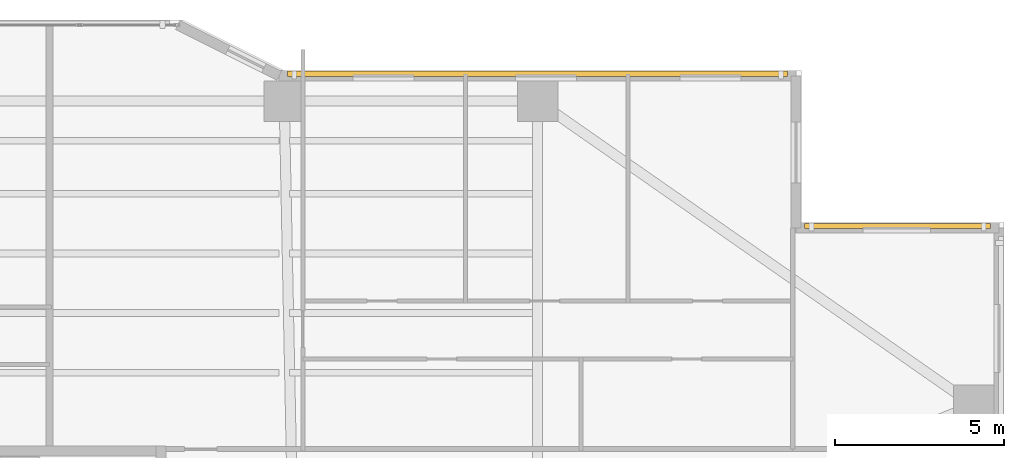
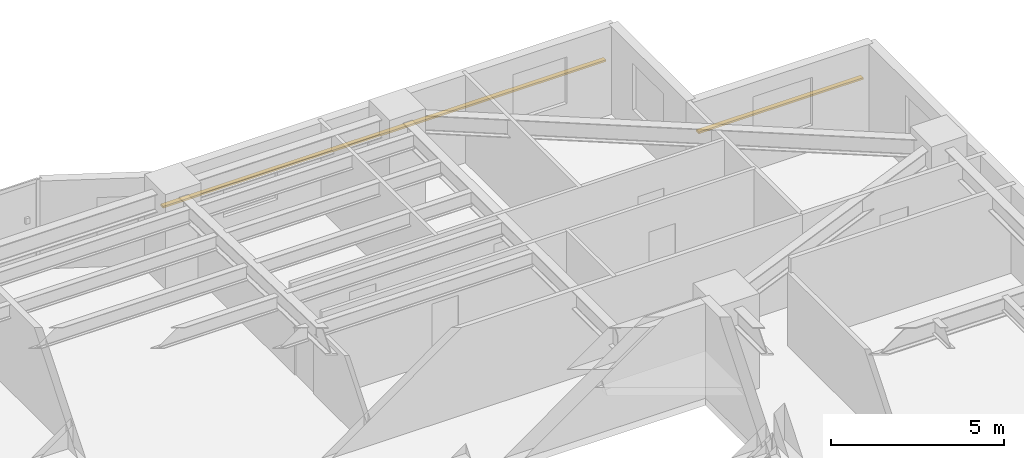
# One storey, part 20 of 20: 2 shading devices.
"""IFC4 building model written with IfcOpenShell, lengths in metres."""

from ifc_helpers import new_model, si_unit, direction, frame, origin, origin_2d, place, context, subcontext, project, spatial, rectangle, extrude, material, material_profile, profile_set, type_object, element, save


model = new_model("IFC4")

# Units and contexts
model_context = context("Model", 3, precision=1e-05, world=origin(), true_north=direction((0.0, 1.0)))
body_context = subcontext(model_context, "Body", "Model", "MODEL_VIEW")
ifc_project = project(units=[si_unit("LENGTHUNIT", "METRE"), si_unit("AREAUNIT", "SQUARE_METRE"), si_unit("VOLUMEUNIT", "CUBIC_METRE"), si_unit("PLANEANGLEUNIT", "RADIAN"), si_unit("MASSUNIT", "GRAM", prefix="KILO")], contexts=[model_context])

# Site, building, storey
site_placement = place(None, origin())
site = spatial("IfcSite", under=ifc_project, at=site_placement, CompositionType="ELEMENT")
building_placement = place(site_placement, origin())
building = spatial("IfcBuilding", under=site, at=building_placement, Name="Tarnavaz Court Tower", CompositionType="ELEMENT")
storey_placement = place(building_placement, frame((0.0, 0.0, 34.050048828125)))
storey = spatial("IfcBuildingStorey", under=building, at=storey_placement, Name="L08", CompositionType="ELEMENT", Elevation=34.050048828125)

# Shading devices
ifc_material = material(Name="Kiln-Fired Khorasan Terracotta Ceramic", Category="masonry")
ifc_material_profile = material_profile(ifc_material, rectangle(XDim=0.14990234375, YDim=0.06494140625, at=origin_2d()), Name="TC BAGUETTE 150X65")
ifc_profile_set = profile_set([ifc_material_profile], Name="Kiln-Fired Khorasan Terracotta Ceramic")
shading_device_type = type_object("IfcShadingDeviceType", Name="SD-BAG-150", PredefinedType="USERDEFINED", material=ifc_profile_set)
shading_device_1_placement = place(storey_placement, frame((7.60009765625, 23.610107421875, 1.849853515625), z_axis=(1.0, 0.0, 0.0), x_axis=(0.0, 1.0, 0.0)))
element("IfcShadingDevice", 1, at=shading_device_1_placement, inside=storey, type_object=shading_device_type, Name="L08 Terracotta Baguette Screen FBG09", ObjectType="BAGUETTE", PredefinedType="USERDEFINED", context=body_context, shape_type="SweptSolid", body=[
    extrude(rectangle(XDim=0.14990234375, YDim=0.06494140625, at=origin_2d()), origin(), (0.0, 0.0, 1.0), 14.7998046875),
])
shading_device_2_placement = place(storey_placement, frame((22.89990234375, 19.110107421875, 1.849853515625), z_axis=(1.0, 0.0, 0.0), x_axis=(0.0, 1.0, 0.0)))
element("IfcShadingDevice", 2, at=shading_device_2_placement, inside=storey, type_object=shading_device_type, Name="L08 Terracotta Baguette Screen FBG11", ObjectType="BAGUETTE", PredefinedType="USERDEFINED", context=body_context, shape_type="SweptSolid", body=[
    extrude(rectangle(XDim=0.14990234375, YDim=0.06494140625, at=origin_2d()), origin(), (0.0, 0.0, 1.0), 5.5),
])

save(model, "model.ifc")
